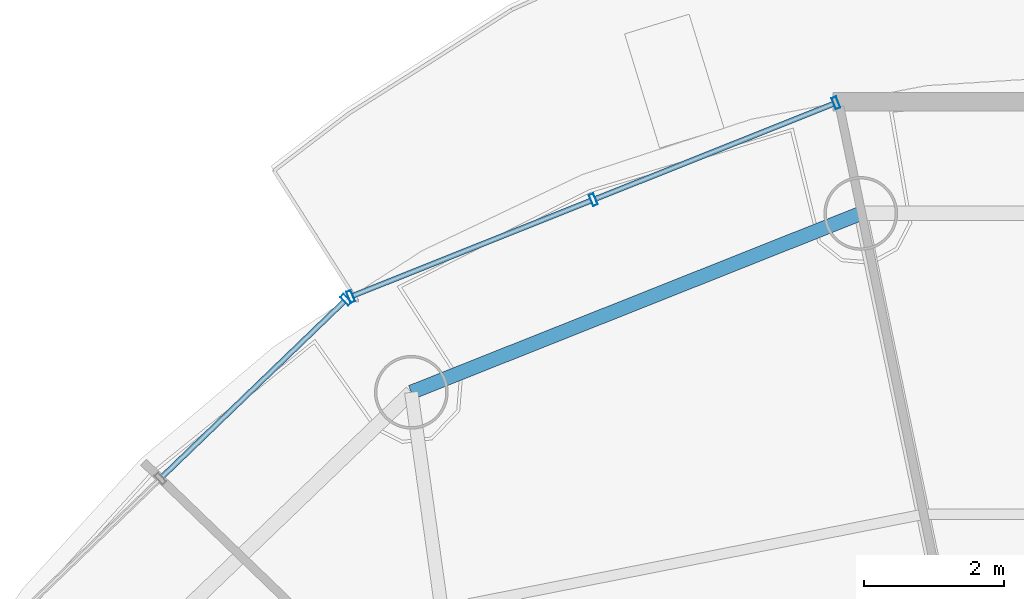
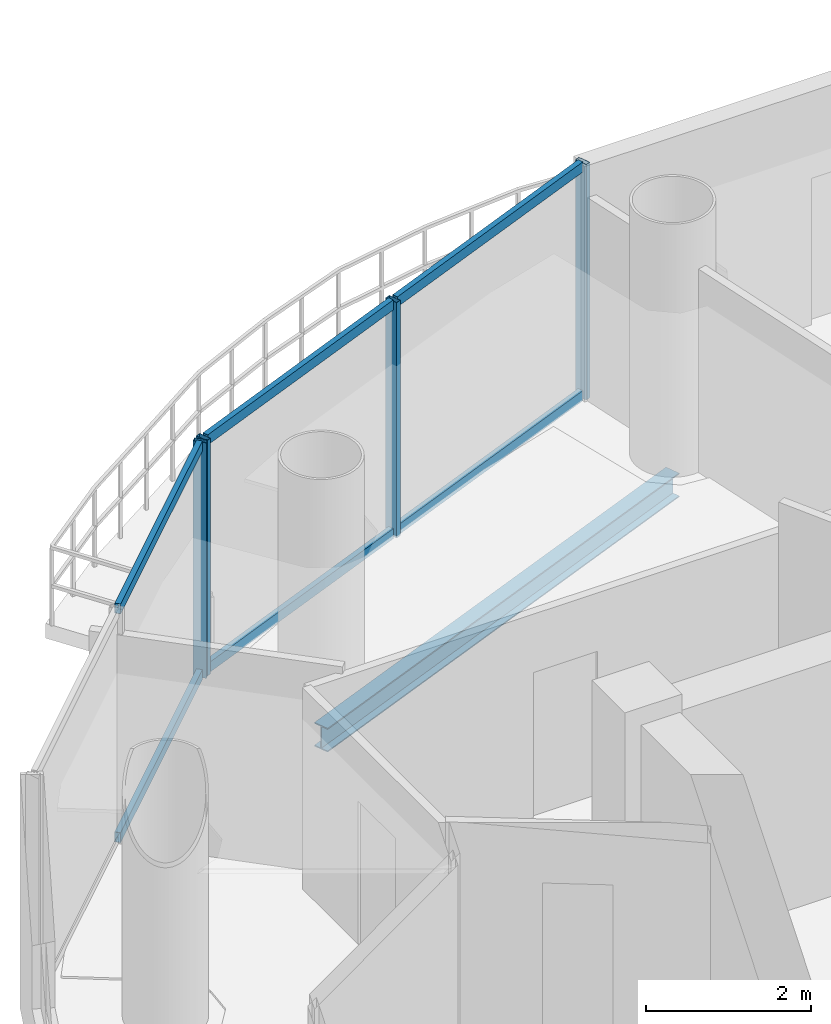
# One storey, part 14 of 24: 10 members, 1 beam, 2 elements without a shape of their own.
"""IFC4 building model written with IfcOpenShell, lengths in metres."""

from ifc_helpers import new_model, si_unit, direction, frame, origin, origin_2d, place, context, subcontext, project, spatial, hollow_rectangle, i_section, extrude, source, transform, mapped, material, material_profile, profile_set, type_object, element, aggregate, save


model = new_model("IFC4")

# Units and contexts
model_context = context("Model", 3, precision=1e-05, world=origin(), true_north=direction((-0.2419218956, 0.970295726276)))
body_context = subcontext(model_context, "Body", "Model", "MODEL_VIEW")
ifc_project = project(units=[si_unit("LENGTHUNIT", "METRE"), si_unit("AREAUNIT", "SQUARE_METRE"), si_unit("VOLUMEUNIT", "CUBIC_METRE"), si_unit("PLANEANGLEUNIT", "RADIAN"), si_unit("MASSUNIT", "GRAM", prefix="KILO")], contexts=[model_context])

# Site, building, storey
site_placement = place(None, origin())
site = spatial("IfcSite", under=ifc_project, at=site_placement, CompositionType="ELEMENT")
building_placement = place(site_placement, origin())
building = spatial("IfcBuilding", under=site, at=building_placement, Name="Cobrevalo Terracotta Tower", CompositionType="ELEMENT")
storey_placement = place(building_placement, frame((0.0, 0.0, 278.199951171875)))
storey = spatial("IfcBuildingStorey", under=building, at=storey_placement, Name="L73", CompositionType="ELEMENT", Elevation=278.199951171875)

# Beam
ifc_material_1 = material(Name="Steel S355", Category="steel")
ifc_material_profile_1 = material_profile(ifc_material_1, i_section(OverallWidth=0.205078125, OverallDepth=0.35400390625, WebThickness=0.009521484375, FlangeThickness=0.016845703125, at=origin_2d()), Name="W 360x79")
ifc_profile_set_1 = profile_set([ifc_material_profile_1], Name="Steel S355")
beam_type = type_object("IfcBeamType", Name="Structural Spandrel W 360x79 (Steel S355)", PredefinedType="SPANDREL", material=ifc_profile_set_1)
beam_placement = place(storey_placement, frame((34.537109375, 43.5224609375, -0.43701171875), z_axis=(-0.929149986048, -0.369702993533, 0.0), x_axis=(0.369702993533, -0.929149986048, 0.0)))
element("IfcBeam", 1, at=beam_placement, inside=storey, type_object=beam_type, Name="L73 perimeter ring spandrel 05", PredefinedType="SPANDREL", context=body_context, shape_type="SweptSolid", body=[
    extrude(i_section(OverallWidth=0.205078125, OverallDepth=0.35400390625, WebThickness=0.009521484375, FlangeThickness=0.016845703125, at=origin_2d()), origin(), (0.0, 0.0, 1.0), 6.88623046875),
])

# Curtain wall, members
ifc_material_2 = material(Name="Anodized aluminium", Category="aluminium")
curtain_wall_type = type_object("IfcCurtainWallType", Name="Upper-tower triple-glazed penthouse curtain wall CW-U3", PredefinedType="NOTDEFINED", material=ifc_material_2)
curtain_wall_1_placement = place(storey_placement, origin())
curtain_wall_1 = element("IfcCurtainWall", 2, at=curtain_wall_1_placement, inside=storey, type_object=curtain_wall_type, Name="L73 curtain wall CW-L73-S05", PredefinedType="NOTDEFINED")
ifc_material_profile_2 = material_profile(ifc_material_2, hollow_rectangle(XDim=0.070068359375, YDim=0.169921875, WallThickness=0.00439453125, at=origin_2d()), Name="CWM 70x170")
ifc_profile_set_2 = profile_set([ifc_material_profile_2], Name="Anodized aluminium")
member_type_1 = type_object("IfcMemberType", Name="Upper tower unitised mullion 70x170", PredefinedType="MULLION", material=ifc_profile_set_2)
shared_shape_1 = source(origin(), body_context, "Body", "SweptSolid", [
    extrude(hollow_rectangle(XDim=0.070068359375, YDim=0.169921875, WallThickness=0.00439453125, at=origin_2d()), origin(), (0.0, 0.0, 1.0), 3.489990234375),
])
member_1_placement = place(storey_placement, frame((34.183837890625, 45.096435546875, 0.0), z_axis=(0.0, 0.0, 1.0), x_axis=(-0.928718980883, -0.370784377433, 0.0)))
member_1 = element("IfcMember", 3, at=member_1_placement, type_object=member_type_1, Name="CW-L73-S05 vertical mullion 01", PredefinedType="MULLION", context=body_context, shape_type="MappedRepresentation", body=[
    mapped(shared_shape_1, transform((0.0, 0.0, 0.0), scale=1.0)),
])
member_2_placement = place(storey_placement, frame((30.729736328125, 43.71728515625, 0.0), z_axis=(0.0, 0.0, 1.0), x_axis=(-0.928718980883, -0.370784377433, 0.0)))
member_2 = element("IfcMember", 4, at=member_2_placement, type_object=member_type_1, Name="CW-L73-S05 vertical mullion 02", PredefinedType="MULLION", context=body_context, shape_type="MappedRepresentation", body=[
    mapped(shared_shape_1, transform((0.0, 0.0, 0.0), scale=1.0)),
])
member_3_placement = place(storey_placement, frame((27.275634765625, 42.33837890625, 0.0), z_axis=(0.0, 0.0, 1.0), x_axis=(-0.928718980883, -0.370784377433, 0.0)))
member_3 = element("IfcMember", 5, at=member_3_placement, type_object=member_type_1, Name="CW-L73-S05 vertical mullion 03", PredefinedType="MULLION", context=body_context, shape_type="MappedRepresentation", body=[
    mapped(shared_shape_1, transform((0.0, 0.0, 0.0), scale=1.0)),
])

curtain_wall_2_placement = place(storey_placement, origin())
curtain_wall_2 = element("IfcCurtainWall", 6, at=curtain_wall_2_placement, inside=storey, type_object=curtain_wall_type, Name="L73 curtain wall CW-L73-S06", PredefinedType="NOTDEFINED")
member_4_placement = place(storey_placement, frame((27.209716796875, 42.2958984375, 0.0), z_axis=(0.0, 0.0, 1.0), x_axis=(-0.71999418085, -0.69398010025, 0.0)))
member_4 = element("IfcMember", 7, at=member_4_placement, type_object=member_type_1, Name="CW-L73-S06 vertical mullion 01", PredefinedType="MULLION", context=body_context, shape_type="MappedRepresentation", body=[
    mapped(shared_shape_1, transform((0.0, 0.0, 0.0), scale=1.0)),
])
ifc_material_profile_3 = material_profile(ifc_material_2, hollow_rectangle(XDim=0.074951171875, YDim=0.14990234375, WallThickness=0.00439453125, at=origin_2d()), Name="CWT 75x150")
ifc_profile_set_3 = profile_set([ifc_material_profile_3], Name="Anodized aluminium")
member_type_2 = type_object("IfcMemberType", Name="Tower unitised aluminium transom 75x150", PredefinedType="USERDEFINED", material=ifc_profile_set_3)
shared_shape_2 = source(origin(), body_context, "Body", "SweptSolid", [
    extrude(hollow_rectangle(XDim=0.074951171875, YDim=0.14990234375, WallThickness=0.00439453125, at=origin_2d()), origin(), (0.0, 0.0, 1.0), 3.59130859375),
])
member_5_placement = place(storey_placement, frame((27.180908203125, 42.26806640625, 0.050048828125), z_axis=(-0.720005628362, -0.693968223427, 0.0), x_axis=(0.693968223427, -0.720005628362, 0.0)))
member_5 = element("IfcMember", 8, at=member_5_placement, type_object=member_type_2, Name="CW-L73-S06 transom B01-T1", ObjectType="TRANSOM", PredefinedType="USERDEFINED", context=body_context, shape_type="MappedRepresentation", body=[
    mapped(shared_shape_2, transform((0.0, 0.0, 0.0), scale=1.0)),
])
member_6_placement = place(storey_placement, frame((27.180908203125, 42.26806640625, 3.43994140625), z_axis=(-0.720005628362, -0.693968223427, 0.0), x_axis=(0.693968223427, -0.720005628362, 0.0)))
member_6 = element("IfcMember", 9, at=member_6_placement, type_object=member_type_2, Name="CW-L73-S06 transom B01-T2", ObjectType="TRANSOM", PredefinedType="USERDEFINED", context=body_context, shape_type="MappedRepresentation", body=[
    mapped(shared_shape_2, transform((0.0, 0.0, 0.0), scale=1.0)),
])
aggregate(curtain_wall_2, [member_4, member_5, member_6])

# Member
shared_shape_3 = source(origin(), body_context, "Body", "SweptSolid", [
    extrude(hollow_rectangle(XDim=0.074951171875, YDim=0.14990234375, WallThickness=0.00439453125, at=origin_2d()), origin(), (0.0, 0.0, 1.0), 3.63916015625),
])
member_7_placement = place(storey_placement, frame((34.146728515625, 45.08154296875, 0.050048828125), z_axis=(-0.928712471544, -0.370800681227, 0.0), x_axis=(0.370800681227, -0.928712471544, 0.0)))
member_7 = element("IfcMember", 10, at=member_7_placement, type_object=member_type_2, Name="CW-L73-S05 transom B01-T1", ObjectType="TRANSOM", PredefinedType="USERDEFINED", context=body_context, shape_type="MappedRepresentation", body=[
    mapped(shared_shape_3, transform((0.0, 0.0, 0.0), scale=1.0)),
])

member_8_placement = place(storey_placement, frame((34.146728515625, 45.08154296875, 3.43994140625), z_axis=(-0.928712471544, -0.370800681227, 0.0), x_axis=(0.370800681227, -0.928712471544, 0.0)))
member_8 = element("IfcMember", 11, at=member_8_placement, type_object=member_type_2, Name="CW-L73-S05 transom B01-T2", ObjectType="TRANSOM", PredefinedType="USERDEFINED", context=body_context, shape_type="MappedRepresentation", body=[
    mapped(shared_shape_3, transform((0.0, 0.0, 0.0), scale=1.0)),
])

member_9_placement = place(storey_placement, frame((30.692626953125, 43.70263671875, 0.050048828125), z_axis=(-0.928712471544, -0.370800681227, 0.0), x_axis=(0.370800681227, -0.928712471544, 0.0)))
member_9 = element("IfcMember", 12, at=member_9_placement, type_object=member_type_2, Name="CW-L73-S05 transom B02-T1", ObjectType="TRANSOM", PredefinedType="USERDEFINED", context=body_context, shape_type="MappedRepresentation", body=[
    mapped(shared_shape_3, transform((0.0, 0.0, 0.0), scale=1.0)),
])

member_10_placement = place(storey_placement, frame((30.692626953125, 43.70263671875, 3.43994140625), z_axis=(-0.928712471544, -0.370800681227, 0.0), x_axis=(0.370800681227, -0.928712471544, 0.0)))
member_10 = element("IfcMember", 13, at=member_10_placement, type_object=member_type_2, Name="CW-L73-S05 transom B02-T2", ObjectType="TRANSOM", PredefinedType="USERDEFINED", context=body_context, shape_type="MappedRepresentation", body=[
    mapped(shared_shape_3, transform((0.0, 0.0, 0.0), scale=1.0)),
])

aggregate(curtain_wall_1, [member_1, member_2, member_3, member_7, member_8, member_9, member_10])

save(model, "model.ifc")
